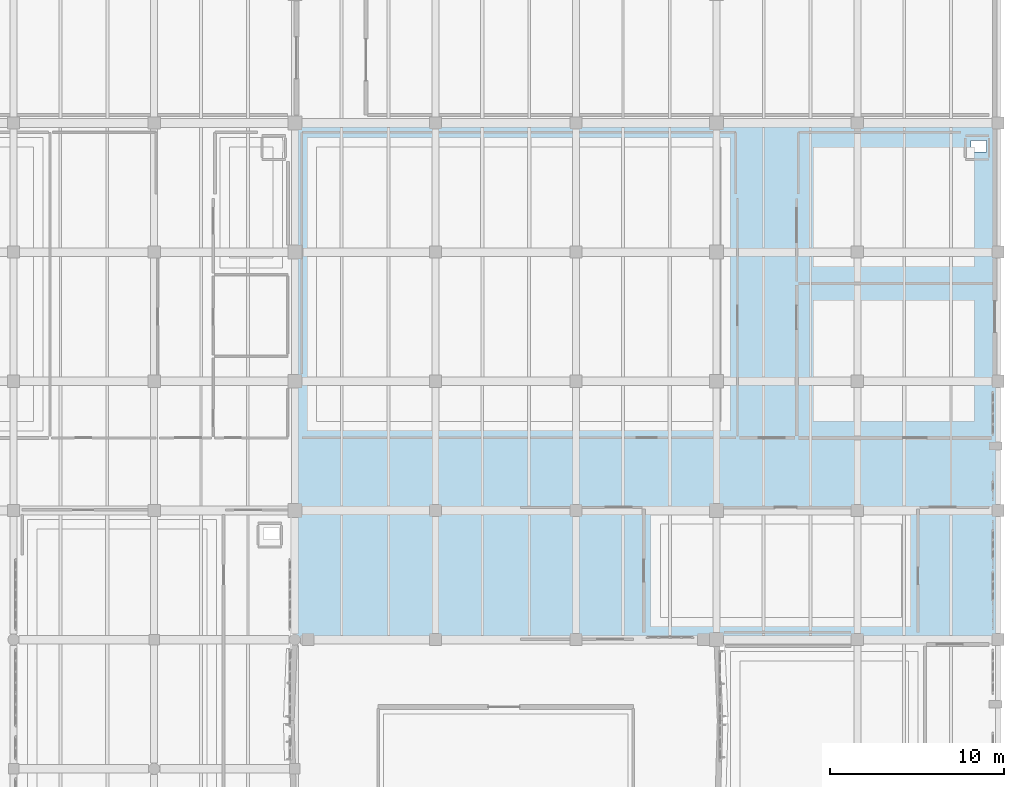
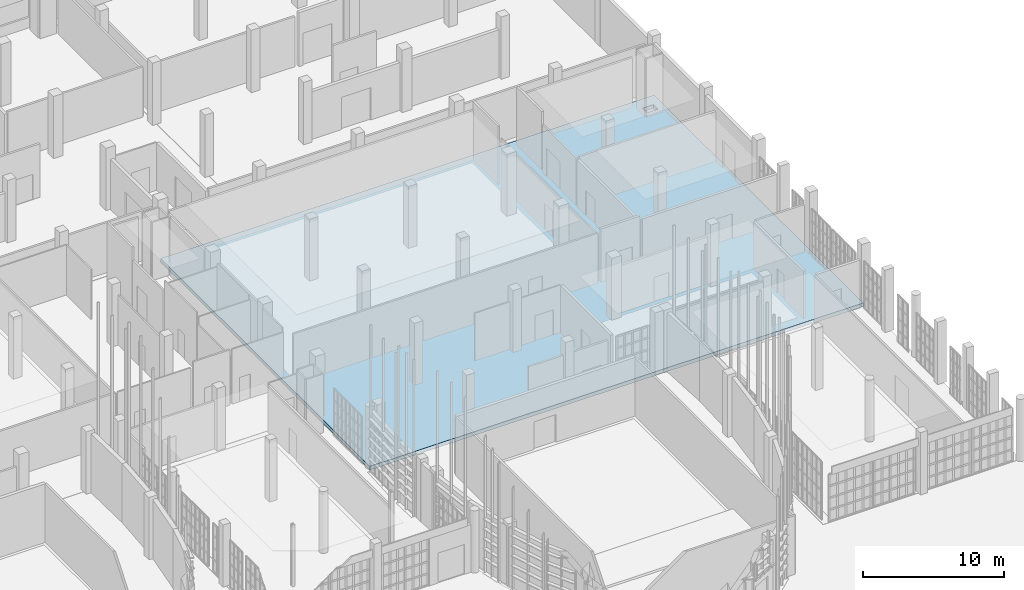
# One storey, part 345 of 372: 1 slab.
"""IFC4 building model written with IfcOpenShell, lengths in metres."""

from ifc_helpers import new_model, si_unit, direction, frame, origin, place, context, subcontext, project, spatial, polyline, outline, extrude, material, layer, layer_set, type_object, element, save


model = new_model("IFC4")

# Units and contexts
model_context = context("Model", 3, precision=1e-05, world=origin(), true_north=direction((0.0, 1.0)))
body_context = subcontext(model_context, "Body", "Model", "MODEL_VIEW")
ifc_project = project(units=[si_unit("LENGTHUNIT", "METRE"), si_unit("AREAUNIT", "SQUARE_METRE"), si_unit("VOLUMEUNIT", "CUBIC_METRE"), si_unit("PLANEANGLEUNIT", "RADIAN"), si_unit("MASSUNIT", "GRAM", prefix="KILO")], contexts=[model_context])

# Site, building, storey
site_placement = place(None, origin())
site = spatial("IfcSite", under=ifc_project, at=site_placement, CompositionType="ELEMENT")
building_placement = place(site_placement, origin())
building = spatial("IfcBuilding", under=site, at=building_placement, Name="Kaelora Sail Theatre", CompositionType="ELEMENT")
storey_placement = place(building_placement, origin())
storey = spatial("IfcBuildingStorey", under=building, at=storey_placement, Name="L00", CompositionType="ELEMENT", Elevation=0.0)

# Slab
ifc_material = material(Name="Concrete C45/55", Category="concrete")
ifc_layer = layer(ifc_material, 0.320068359375)
ifc_layer_set = layer_set([ifc_layer], Name="Concrete C45/55")
slab_type = type_object("IfcSlabType", Name="STR-SLB-SL-FL320", PredefinedType="FLOOR", material=ifc_layer_set)
slab_placement = place(storey_placement, frame((0.0, 0.0, -0.320068359375)))
element("IfcSlab", 1, at=slab_placement, inside=storey, type_object=slab_type, Name="Glazed Foyer floor slab FE1 (L00)", PredefinedType="FLOOR", context=body_context, shape_type="SweptSolid", body=[
    extrude(outline(polyline([(123.014892578125, 53.594970703125), (163.5, 53.594970703125), (163.5, 83.324951171875), (123.014892578125, 83.324951171875), (123.014892578125, 53.594970703125)]), holes=[polyline([(161.949951171875, 81.675048828125), (162.85009765625, 81.675048828125), (162.85009765625, 82.324951171875), (161.949951171875, 82.324951171875), (161.949951171875, 81.675048828125)])]), origin(), (0.0, 0.0, 1.0), 0.320068359375),
])

save(model, "model.ifc")
